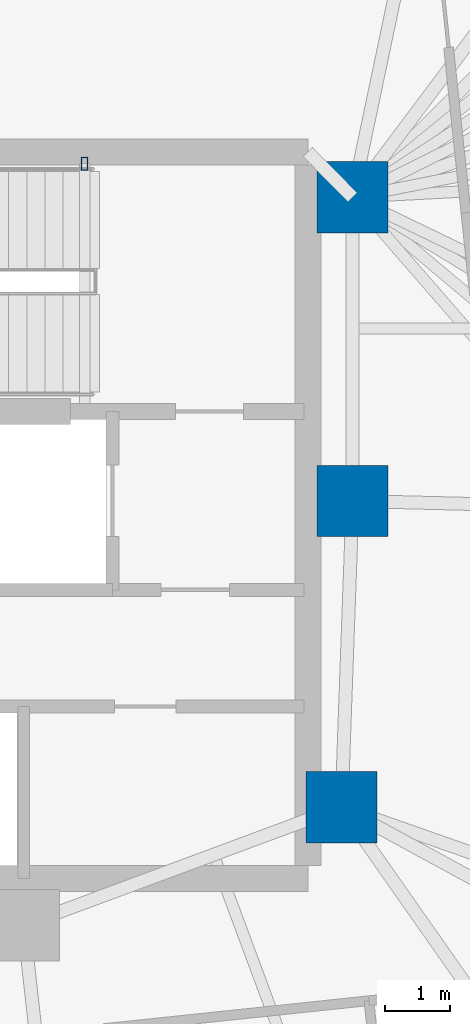
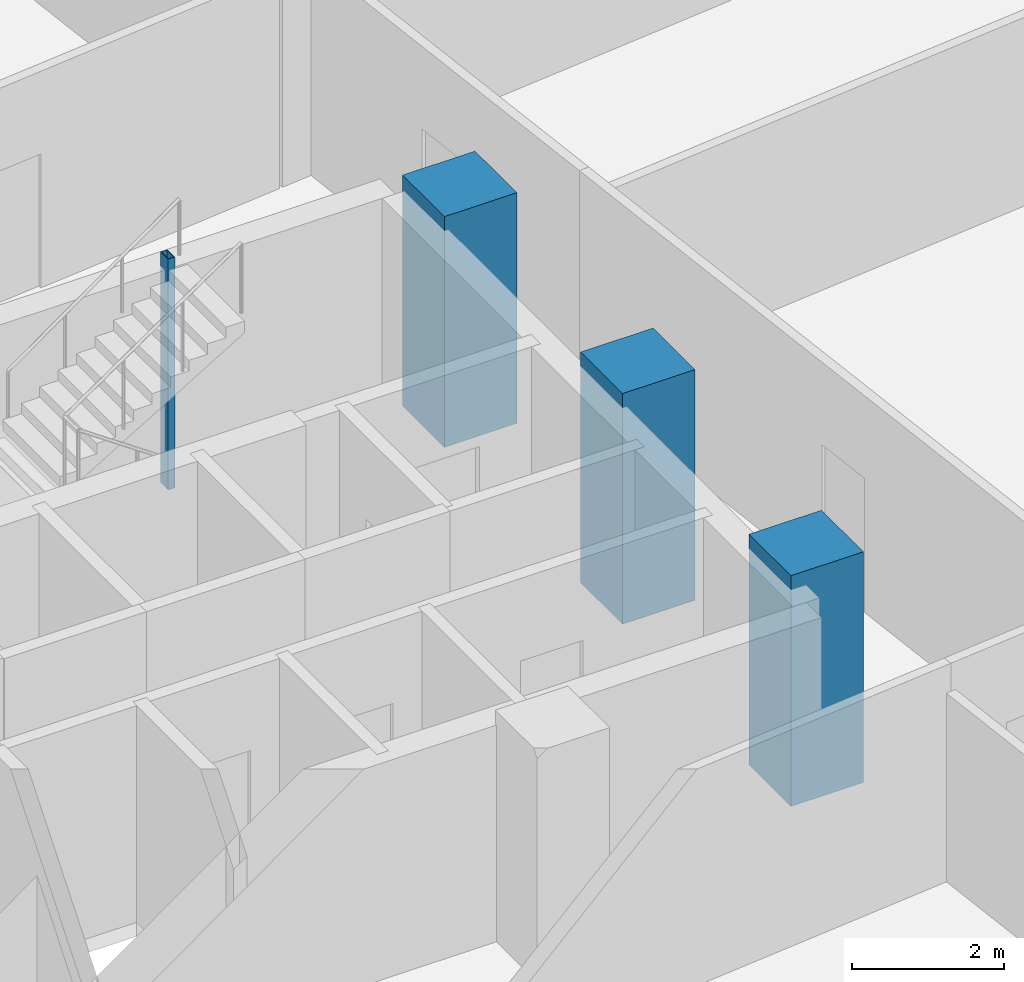
# One storey, part 4 of 18: 4 columns.
"""IFC4 building model written with IfcOpenShell, lengths in metres."""

from ifc_helpers import new_model, si_unit, direction, frame, origin, origin_2d, place, context, subcontext, project, spatial, rectangle, hollow_rectangle, extrude, material, material_profile, profile_set, type_object, element, save


model = new_model("IFC4")

# Units and contexts
model_context = context("Model", 3, precision=1e-05, world=origin(), true_north=direction((0.0, 1.0)))
body_context = subcontext(model_context, "Body", "Model", "MODEL_VIEW")
ifc_project = project(units=[si_unit("LENGTHUNIT", "METRE"), si_unit("AREAUNIT", "SQUARE_METRE"), si_unit("VOLUMEUNIT", "CUBIC_METRE"), si_unit("PLANEANGLEUNIT", "RADIAN"), si_unit("MASSUNIT", "GRAM", prefix="KILO")], contexts=[model_context])

# Site, building, storey
site_placement = place(None, origin())
site = spatial("IfcSite", under=ifc_project, at=site_placement, CompositionType="ELEMENT")
building_placement = place(site_placement, origin())
building = spatial("IfcBuilding", under=site, at=building_placement, Name="Menara Jurai Vektor", CompositionType="ELEMENT")
storey_placement = place(building_placement, frame((0.0, 0.0, 128.10009765625)))
storey = spatial("IfcBuildingStorey", under=building, at=storey_placement, Name="L32", CompositionType="ELEMENT", Elevation=128.10009765625)

# Columns
ifc_material_1 = material(Name="Concrete C50/60", Category="concrete")
ifc_material_profile_1 = material_profile(ifc_material_1, rectangle(XDim=1.10009765625, YDim=1.10009765625, at=origin_2d()), Name="RC 1100x1100")
ifc_profile_set_1 = profile_set([ifc_material_profile_1], Name="Concrete C50/60")
column_type_1 = type_object("IfcColumnType", Name="STR-COL-RC1100", PredefinedType="COLUMN", material=ifc_profile_set_1)
for number, where, z_axis, x_axis, name in (
    (1, (15.25, 4.89990234375, 0.0), (0.0, 0.0, 1.0), (1.0, 0.0, 0.0), "Core Spine Column CE-NE L32"),
    (2, (15.25, 0.219970703125, 0.0), (0.0, 0.0, 1.0), (1.0, 0.0, 0.0), "Core Spine Column CE-EM L32"),
    (3, (15.080078125, -4.5, 0.0), (0.0, 0.0, 1.0), (1.0, 0.0, 0.0), "Core Spine Column CE-SE L32"),
):
    element("IfcColumn", number, at=place(storey_placement, frame(where, z_axis=z_axis, x_axis=x_axis)), inside=storey, type_object=column_type_1, Name=name, PredefinedType="COLUMN", context=body_context, shape_type="SweptSolid", body=[
        extrude(rectangle(XDim=1.10009765625, YDim=1.10009765625, at=origin_2d()), origin(), (0.0, 0.0, 1.0), 3.699951171875),
    ])
ifc_material_2 = material(Name="Steel S355", Category="steel")
ifc_material_profile_2 = material_profile(ifc_material_2, hollow_rectangle(XDim=0.10009765625, YDim=0.199951171875, WallThickness=0.008056640625, at=origin_2d()), Name="RHS 200x100x8")
ifc_profile_set_2 = profile_set([ifc_material_profile_2], Name="Steel S355")
column_type_2 = type_object("IfcColumnType", Name="STR-COL-STAIR", PredefinedType="COLUMN", material=ifc_profile_set_2)
column_placement = place(storey_placement, frame((11.1201171875, 5.419921875, 0.0), z_axis=(0.0, 0.0, 1.0), x_axis=(1.0, 0.0, 0.0)))
element("IfcColumn", 4, at=column_placement, inside=storey, type_object=column_type_2, Name="Stair Well Header Column ST2-P2 L32", PredefinedType="COLUMN", context=body_context, shape_type="SweptSolid", body=[
    extrude(hollow_rectangle(XDim=0.10009765625, YDim=0.199951171875, WallThickness=0.008056640625, at=origin_2d()), origin(), (0.0, 0.0, 1.0), 3.699951171875),
])

save(model, "model.ifc")
